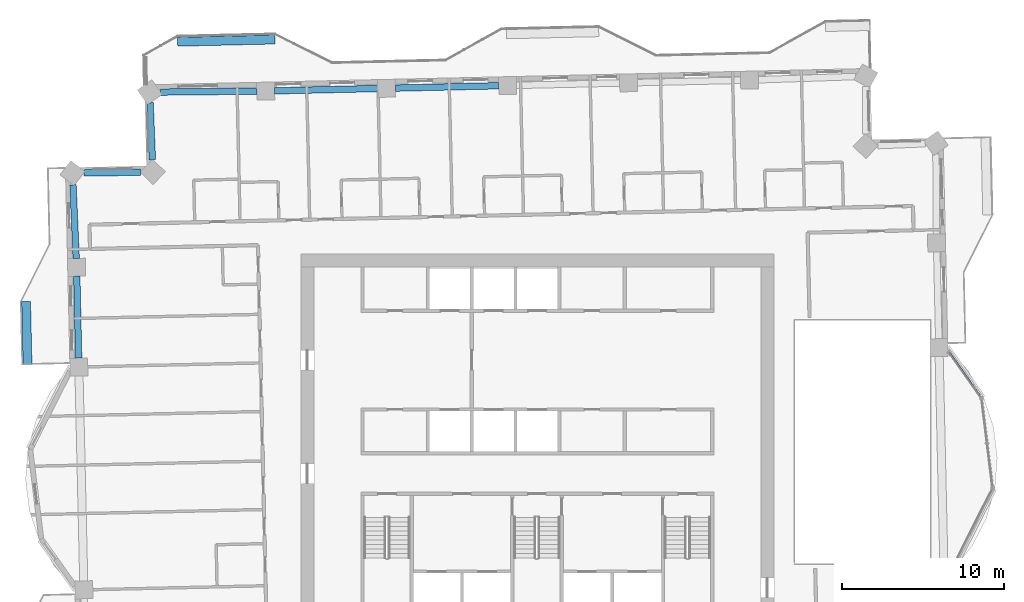
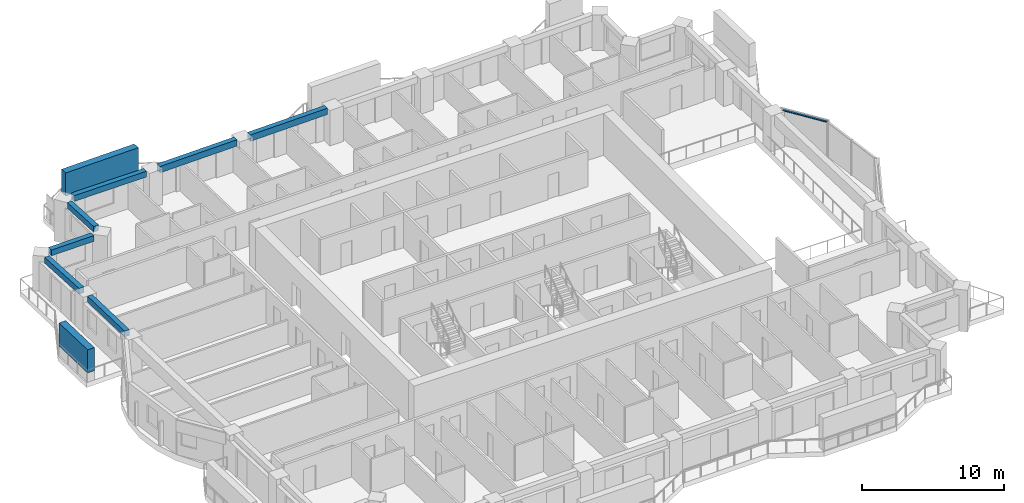
# One storey, part 3 of 17: 7 beams, 3 members, 1 element without a shape of its own.
"""IFC4 building model written with IfcOpenShell, lengths in metres."""

import ifcopenshell
import ifcopenshell.guid

model = None  # the IFC model being written
_history = None  # IfcOwnerHistory: only IFC2X3 demands one
_inside = {}  # id of a spatial element -> (the spatial element, [elements in it])
_under = {}  # id of a project, library or spatial element -> (it, [spatial elements below it])
_declared = {}  # id of a project -> (the project, [libraries it declares])
_typed = {}  # id of a type object -> (the type object, [elements of that type])
_made_of = {}  # id of a material, layer set ... -> (it, [elements and type objects made of it])


def new_model(schema):
    """Start an empty IFC model of exactly this schema.

    Asked for "IFC4X3", IfcOpenShell would pick the latest addendum, in which some entities
    have other attributes; the version numbers below select the first issue.
    IFC2X3 requires an IfcOwnerHistory on every rooted entity: one is made here for all.
    """
    global model, _history
    if schema == "IFC4X3":
        model = ifcopenshell.file(schema_version=(4, 3, 0, 0))
    else:
        model = ifcopenshell.file(schema=schema)
    _inside.clear()
    _under.clear()
    _declared.clear()
    _typed.clear()
    _made_of.clear()
    _history = None
    if model.schema == "IFC2X3":
        org = make("IfcOrganization", Name="unknown")
        user = make(
            "IfcPersonAndOrganization",
            ThePerson=make("IfcPerson", FamilyName="unknown"),
            TheOrganization=org,
        )
        app = make(
            "IfcApplication",
            ApplicationDeveloper=org,
            Version="unknown",
            ApplicationFullName="unknown",
            ApplicationIdentifier="unknown",
        )
        _history = make(
            "IfcOwnerHistory",
            OwningUser=user,
            OwningApplication=app,
            ChangeAction="ADDED",
            CreationDate=0,
        )
    return model


def make(cls, **values):
    """One entity of the class cls with the attributes given. An attribute that is None is left unset."""
    return model.create_entity(
        cls, **{name: value for name, value in values.items() if value is not None}
    )


def rooted(cls, **values):
    """An entity with a GlobalId (a new one), such as an element, a storey or a relation."""
    return make(cls, GlobalId=ifcopenshell.guid.new(), OwnerHistory=_history, **values)


def si_unit(unit_type, name, prefix=None):
    """IfcSIUnit, for example si_unit("LENGTHUNIT", "METRE", prefix="MILLI")."""
    return make("IfcSIUnit", UnitType=unit_type, Prefix=prefix, Name=name)


def assignment(units):
    """IfcUnitAssignment: the units of a project."""
    return None if units is None else make("IfcUnitAssignment", Units=units)


def point(xyz):
    """IfcCartesianPoint."""
    return None if xyz is None else make("IfcCartesianPoint", Coordinates=xyz)


def direction(xyz):
    """IfcDirection."""
    return None if xyz is None else make("IfcDirection", DirectionRatios=xyz)


def frame(location, z_axis=None, x_axis=None):
    """IfcAxis2Placement3D, a coordinate frame: its origin and axes. An axis left out is left unset."""
    return make(
        "IfcAxis2Placement3D",
        Location=point(location),
        Axis=direction(z_axis),
        RefDirection=direction(x_axis),
    )


def frame_2d(location, x_axis=None):
    """IfcAxis2Placement2D, a coordinate frame in the plane: its origin and x axis."""
    return make(
        "IfcAxis2Placement2D", Location=point(location), RefDirection=direction(x_axis)
    )


def origin():
    """The frame at (0, 0, 0) with its axes left unset."""
    return frame((0.0, 0.0, 0.0))


def origin_2d():
    """The frame at (0, 0) in the plane with its x axis left unset."""
    return frame_2d((0.0, 0.0))


def place(relative_to, where):
    """IfcLocalPlacement: puts the frame where relative to a parent placement (None: the world)."""
    return make(
        "IfcLocalPlacement", PlacementRelTo=relative_to, RelativePlacement=where
    )


def context(
    kind, dimensions, precision=None, world=None, true_north=None, identifier=None
):
    """IfcGeometricRepresentationContext, for example the 3D "Model" context."""
    return make(
        "IfcGeometricRepresentationContext",
        ContextIdentifier=identifier,
        ContextType=kind,
        CoordinateSpaceDimension=dimensions,
        Precision=precision,
        WorldCoordinateSystem=world,
        TrueNorth=true_north,
    )


def subcontext(parent, identifier, kind, view, scale=None):
    """IfcGeometricRepresentationSubContext, for example "Body" below "Model"."""
    return make(
        "IfcGeometricRepresentationSubContext",
        ContextIdentifier=identifier,
        ContextType=kind,
        ParentContext=parent,
        TargetScale=scale,
        TargetView=view,
    )


def project(units=None, contexts=None):
    """IfcProject with its units and contexts."""
    return rooted(
        "IfcProject",
        Name="project",
        RepresentationContexts=contexts,
        UnitsInContext=assignment(units),
    )


def spatial(cls, under=None, at=None, **own):
    """A site, building, storey or space (cls), placed at a placement, below another one or the project."""
    s = rooted(cls, ObjectPlacement=at, **own)
    if under is not None:
        _under.setdefault(under.id(), (under, []))[1].append(s)
    return s


def profile(cls, at=None, kind="AREA", **sizes):
    """A parametric profile (cls). Its sizes go by their IFC names, for example OverallWidth=200.0."""
    return make(cls, ProfileType=kind, Position=at, **sizes)


def rectangle(**sizes):
    """IfcRectangleProfileDef."""
    return profile("IfcRectangleProfileDef", **sizes)


def extrude(swept, where, along, depth):
    """IfcExtrudedAreaSolid: the profile swept, set in the frame where, extruded along a direction by depth."""
    return make(
        "IfcExtrudedAreaSolid",
        SweptArea=swept,
        Position=where,
        ExtrudedDirection=direction(along),
        Depth=depth,
    )


def shape(context_of_items, identifier, shape_type, items):
    """IfcShapeRepresentation: the items that make up one representation, for example the "Body"."""
    return make(
        "IfcShapeRepresentation",
        ContextOfItems=context_of_items,
        RepresentationIdentifier=identifier,
        RepresentationType=shape_type,
        Items=items,
    )


def material(Name=None, Category=None):
    """IfcMaterial."""
    return make("IfcMaterial", Name=Name, Category=Category)


def material_profile(
    of_material, cross_section, Name=None, Category=None, Priority=None
):
    """IfcMaterialProfile: a cross section and its material."""
    return make(
        "IfcMaterialProfile",
        Name=Name,
        Material=of_material,
        Profile=cross_section,
        Priority=Priority,
        Category=Category,
    )


def profile_set(profiles, Name=None, composite=None):
    """IfcMaterialProfileSet."""
    return make(
        "IfcMaterialProfileSet",
        Name=Name,
        MaterialProfiles=profiles,
        CompositeProfile=composite,
    )


def made_of(thing, what):
    """Note that an element or type object is made of a material, layer set ...; save() writes the relation."""
    if what is not None:
        _made_of.setdefault(what.id(), (what, []))[1].append(thing)
    return thing


def type_object(cls, material=None, **own):
    """A type object (cls), such as IfcWallType, which elements share."""
    return made_of(rooted(cls, **own), material)


def element(
    cls,
    number,
    at=None,
    inside=None,
    cuts=None,
    type_object=None,
    material=None,
    context=None,
    identifier="Body",
    shape_type=None,
    held_by="IfcProductDefinitionShape",
    body=None,
    shapes=None,
    **own,
):
    """One element of the class cls, such as IfcWall. Its Tag is "e" and its number.

    at: its placement. inside: the storey or other place that contains it. cuts: it is an
    opening in that element (IfcRelVoidsElement). A single representation is given by context,
    identifier, shape_type and body (its items); several are given by shapes. held_by: the class
    of the entity that holds the representations. save() writes the other relations.
    """
    e = rooted(cls, Tag="e%d" % number, ObjectPlacement=at, **own)
    if body is not None:
        shapes = [shape(context, identifier, shape_type, body)]
    if shapes is not None:
        e.Representation = make(held_by, Representations=shapes)
    if inside is not None:
        _inside.setdefault(inside.id(), (inside, []))[1].append(e)
    if cuts is not None:
        rooted(
            "IfcRelVoidsElement", RelatingBuildingElement=cuts, RelatedOpeningElement=e
        )
    if type_object is not None:
        _typed.setdefault(type_object.id(), (type_object, []))[1].append(e)
    return made_of(e, material)


def aggregate(whole, parts):
    """IfcRelAggregates: a whole, such as a stair, and the parts it consists of."""
    return rooted("IfcRelAggregates", RelatingObject=whole, RelatedObjects=parts)


def save(model, path):
    """Write the relations noted so far, then the file.

    IfcRelAggregates (storeys below a building ...), IfcRelContainedInSpatialStructure (elements
    in a storey), IfcRelDefinesByType, IfcRelAssociatesMaterial and IfcRelDeclares: one each for
    every whole, place, type object, material and project.
    """
    for whole, parts in _under.values():
        aggregate(whole, parts)
    for where, things in _inside.values():
        rooted(
            "IfcRelContainedInSpatialStructure",
            RelatedElements=things,
            RelatingStructure=where,
        )
    for kind, things in _typed.values():
        rooted("IfcRelDefinesByType", RelatedObjects=things, RelatingType=kind)
    for what, things in _made_of.values():
        rooted("IfcRelAssociatesMaterial", RelatedObjects=things, RelatingMaterial=what)
    for by, libraries in _declared.values():
        rooted("IfcRelDeclares", RelatingContext=by, RelatedDefinitions=libraries)
    model.write(path)


model = new_model("IFC4")

# Units and contexts
model_context = context("Model", 3, precision=1e-05, world=origin(), true_north=direction((0.0, 1.0)))
body_context = subcontext(model_context, "Body", "Model", "MODEL_VIEW")
ifc_project = project(units=[si_unit("LENGTHUNIT", "METRE"), si_unit("AREAUNIT", "SQUARE_METRE"), si_unit("VOLUMEUNIT", "CUBIC_METRE"), si_unit("PLANEANGLEUNIT", "RADIAN"), si_unit("MASSUNIT", "GRAM", prefix="KILO")], contexts=[model_context])

# Site, building, storey
site_placement = place(None, origin())
site = spatial("IfcSite", under=ifc_project, at=site_placement, CompositionType="ELEMENT")
building_placement = place(site_placement, origin())
building = spatial("IfcBuilding", under=site, at=building_placement, Name="Mangrove Gate Tower", CompositionType="ELEMENT")
storey_placement = place(building_placement, frame((0.0, 0.0, 234.699951171875)))
storey = spatial("IfcBuildingStorey", under=building, at=storey_placement, Name="L59", CompositionType="ELEMENT", Elevation=234.699951171875)

# Curtain wall, member
ifc_material_1 = material(Name="Aluminium and glass curtain wall", Category="aluminium")
curtain_wall_type = type_object("IfcCurtainWallType", Name="Atrium garden-court glazing wall", PredefinedType="NOTDEFINED", material=ifc_material_1)
curtain_wall_placement = place(storey_placement, origin())
curtain_wall = element("IfcCurtainWall", 1, at=curtain_wall_placement, inside=storey, type_object=curtain_wall_type, Name="Atrium garden-court glazing E1f3", PredefinedType="NOTDEFINED")
ifc_material_2 = material(Name="Aluminium alloy 6063-T6", Category="aluminium")
ifc_material_profile_1 = material_profile(ifc_material_2, rectangle(XDim=0.070068359375, YDim=0.14990234375, at=origin_2d()))
ifc_profile_set_1 = profile_set([ifc_material_profile_1], Name="Aluminium alloy 6063-T6")
member_type_1 = type_object("IfcMemberType", Name="Atrium garden-court glazing transom 70x150", PredefinedType="USERDEFINED", material=ifc_profile_set_1)
member_1_placement = place(storey_placement, frame((27.379150390625, 2.739013671875, 3.01513671875), z_axis=(-0.578122045982, 0.815950304829, 0.0), x_axis=(0.0, 0.0, 1.0)))
member_1 = element("IfcMember", 2, at=member_1_placement, type_object=member_type_1, Name="CWA transom 1.2", ObjectType="TRANSOM", PredefinedType="USERDEFINED", context=body_context, shape_type="SweptSolid", body=[
    extrude(rectangle(XDim=0.070068359375, YDim=0.14990234375, at=origin_2d()), origin(), (0.0, 0.0, 1.0), 3.4287109375),
])
aggregate(curtain_wall, [member_1])

# Members
ifc_material_3 = material(Name="Planting on aluminium trellis", Category="aluminium")
ifc_material_profile_2 = material_profile(ifc_material_3, rectangle(XDim=0.550048828125, YDim=2.0, at=origin_2d()))
ifc_profile_set_2 = profile_set([ifc_material_profile_2], Name="Planting on aluminium trellis")
member_type_2 = type_object("IfcMemberType", Name="Balcony greenery screen 550x2000", PredefinedType="USERDEFINED", material=ifc_profile_set_2)
member_2_placement = place(storey_placement, frame((-22.202880859375, 24.7041015625, 1.800048828125), z_axis=(0.999743073592, 0.022666865795, 0.0), x_axis=(-0.022666865795, 0.999743073592, 0.0)))
element("IfcMember", 3, at=member_2_placement, inside=storey, type_object=member_type_2, Name="GREEN SCREEN L59 N1.1", ObjectType="PLANTING", PredefinedType="USERDEFINED", context=body_context, shape_type="SweptSolid", body=[
    extrude(rectangle(XDim=0.550048828125, YDim=2.0, at=origin_2d()), origin(), (0.0, 0.0, 1.0), 5.999267578125),
])
member_3_placement = place(storey_placement, frame((-31.472900390625, 4.799072265625, 1.800048828125), z_axis=(-0.022744303924, 0.999741314861, 0.0), x_axis=(-0.999741314861, -0.022744303924, 0.0)))
element("IfcMember", 4, at=member_3_placement, inside=storey, type_object=member_type_2, Name="GREEN SCREEN L59 W0.1", ObjectType="PLANTING", PredefinedType="USERDEFINED", context=body_context, shape_type="SweptSolid", body=[
    extrude(rectangle(XDim=0.550048828125, YDim=2.0, at=origin_2d()), origin(), (0.0, 0.0, 1.0), 3.875),
])

# Beams
ifc_material_4 = material(Name="Concrete C50/60", Category="concrete")
ifc_material_profile_3 = material_profile(ifc_material_4, rectangle(XDim=0.39990234375, YDim=0.5, at=origin_2d()))
ifc_profile_set_3 = profile_set([ifc_material_profile_3], Name="Concrete C50/60")
beam_type_1 = type_object("IfcBeamType", Name="Edge beam RC 400x500 C50/60", PredefinedType="BEAM", material=ifc_profile_set_3)
beam_1_placement = place(storey_placement, frame((-17.318603515625, 21.65673828125, 2.800048828125), z_axis=(-0.999952232717, -0.009774061825, 0.0), x_axis=(0.009774061825, -0.999952232717, 0.0)))
element("IfcBeam", 5, at=beam_1_placement, inside=storey, type_object=beam_type_1, Name="Edge beam L59 24", PredefinedType="BEAM", context=body_context, shape_type="SweptSolid", body=[
    extrude(rectangle(XDim=0.39990234375, YDim=0.5, at=origin_2d()), origin(), (0.0, 0.0, 1.0), 5.94482421875),
])
beam_2_placement = place(storey_placement, frame((-23.905029296875, 20.93798828125, 2.800048828125), z_axis=(0.039412831172, -0.999223012515, 0.0), x_axis=(0.999223012515, 0.039412831172, 0.0)))
element("IfcBeam", 6, at=beam_2_placement, inside=storey, type_object=beam_type_1, Name="Edge beam L59 25", PredefinedType="BEAM", context=body_context, shape_type="SweptSolid", body=[
    extrude(rectangle(XDim=0.39990234375, YDim=0.5, at=origin_2d()), origin(), (0.0, 0.0, 1.0), 3.51220703125),
])
beam_3_placement = place(storey_placement, frame((-24.5078125, 16.653076171875, 2.800048828125), z_axis=(-0.999898017647, -0.014281257131, 0.0), x_axis=(0.014281257131, -0.999898017647, 0.0)))
element("IfcBeam", 7, at=beam_3_placement, inside=storey, type_object=beam_type_1, Name="Edge beam L59 26", PredefinedType="BEAM", context=body_context, shape_type="SweptSolid", body=[
    extrude(rectangle(XDim=0.39990234375, YDim=0.5, at=origin_2d()), origin(), (0.0, 0.0, 1.0), 3.4873046875),
])
beam_4_placement = place(storey_placement, frame((-28.66650390625, 15.873291015625, 2.800048828125), z_axis=(0.043817054044, -0.999039571676, 0.0), x_axis=(0.999039571676, 0.043817054044, 0.0)))
element("IfcBeam", 8, at=beam_4_placement, inside=storey, type_object=beam_type_1, Name="Edge beam L59 27", PredefinedType="BEAM", context=body_context, shape_type="SweptSolid", body=[
    extrude(rectangle(XDim=0.39990234375, YDim=0.5, at=origin_2d()), origin(), (0.0, 0.0, 1.0), 4.546630859375),
])
beam_5_placement = place(storey_placement, frame((-28.4306640625, 10.231689453125, 2.800048828125), z_axis=(0.022718118383, -0.999741910243, 0.0), x_axis=(0.999741910243, 0.022718118383, 0.0)))
element("IfcBeam", 9, at=beam_5_placement, inside=storey, type_object=beam_type_1, Name="Edge beam L59 28", PredefinedType="BEAM", context=body_context, shape_type="SweptSolid", body=[
    extrude(rectangle(XDim=0.39990234375, YDim=0.5, at=origin_2d()), origin(), (0.0, 0.0, 1.0), 5.0615234375),
])
ifc_material_5 = material(Name="Concrete C50/60", Category="concrete")
ifc_material_profile_4 = material_profile(ifc_material_5, rectangle(XDim=0.39990234375, YDim=0.550048828125, at=origin_2d()))
ifc_profile_set_4 = profile_set([ifc_material_profile_4], Name="Concrete C50/60")
beam_type_2 = type_object("IfcBeamType", Name="Edge beam RC 400x550 C50/60", PredefinedType="BEAM", material=ifc_profile_set_4)
beam_6_placement = place(storey_placement, frame((-2.386474609375, 21.988525390625, 2.775146484375), z_axis=(-0.999741518756, -0.0227353398, 0.0), x_axis=(0.0227353398, -0.999741518756, 0.0)))
element("IfcBeam", 10, at=beam_6_placement, inside=storey, type_object=beam_type_2, Name="Edge beam L59 22", PredefinedType="BEAM", context=body_context, shape_type="SweptSolid", body=[
    extrude(rectangle(XDim=0.39990234375, YDim=0.550048828125, at=origin_2d()), origin(), (0.0, 0.0, 1.0), 6.367919921875),
])
beam_7_placement = place(storey_placement, frame((-9.852294921875, 21.818603515625, 2.775146484375), z_axis=(-0.99974414608, -0.022619513218, 0.0), x_axis=(0.022619513218, -0.99974414608, 0.0)))
element("IfcBeam", 11, at=beam_7_placement, inside=storey, type_object=beam_type_2, Name="Edge beam L59 23", PredefinedType="BEAM", context=body_context, shape_type="SweptSolid", body=[
    extrude(rectangle(XDim=0.39990234375, YDim=0.550048828125, at=origin_2d()), origin(), (0.0, 0.0, 1.0), 6.3681640625),
])

save(model, "model.ifc")
